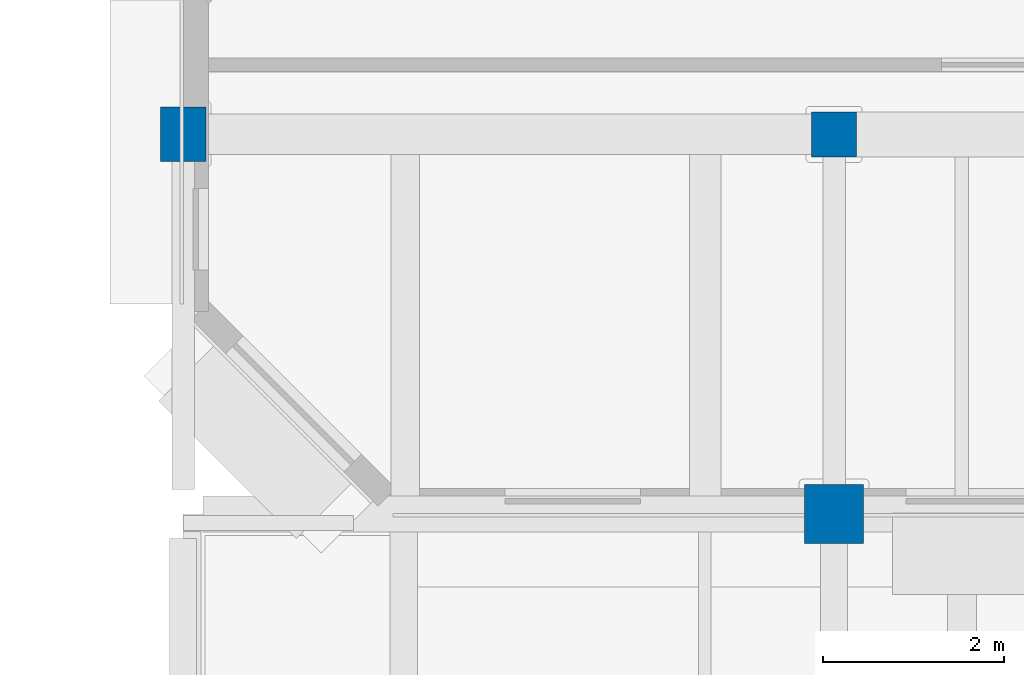
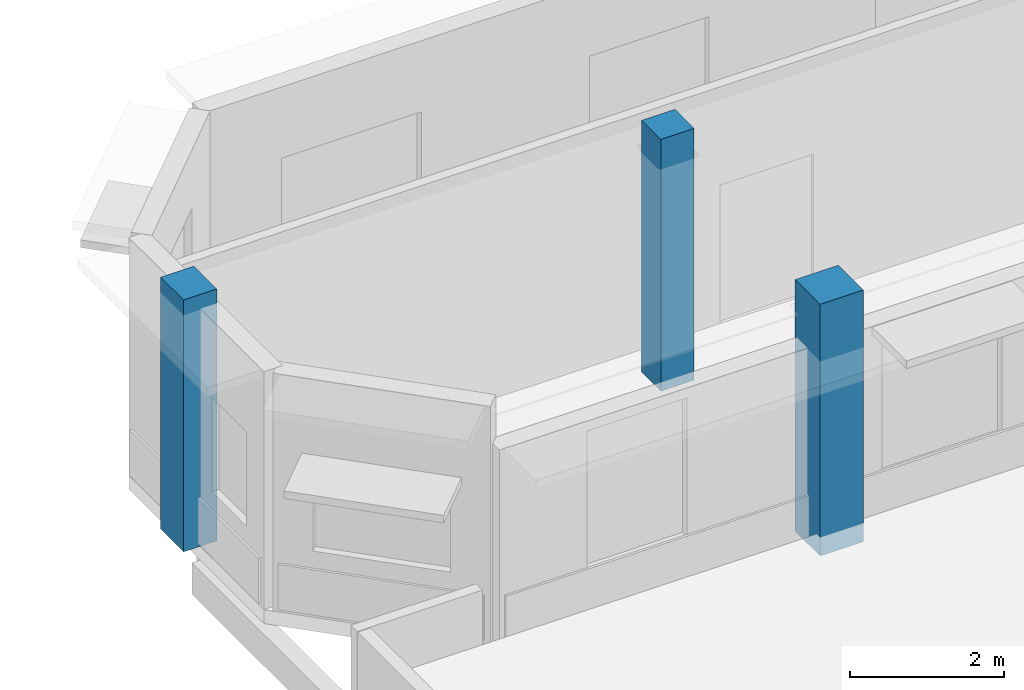
# One storey, part 1 of 105: 3 columns.
"""IFC4 building model written with IfcOpenShell, lengths in metres."""

from ifc_helpers import new_model, si_unit, direction, frame, origin, origin_2d, place, context, subcontext, project, spatial, rectangle, extrude, material, material_profile, profile_set, type_object, element, save


model = new_model("IFC4")

# Units and contexts
model_context = context("Model", 3, precision=1e-05, world=origin(), true_north=direction((0.0, 1.0)))
body_context = subcontext(model_context, "Body", "Model", "MODEL_VIEW")
ifc_project = project(units=[si_unit("LENGTHUNIT", "METRE"), si_unit("AREAUNIT", "SQUARE_METRE"), si_unit("VOLUMEUNIT", "CUBIC_METRE"), si_unit("PLANEANGLEUNIT", "RADIAN"), si_unit("MASSUNIT", "GRAM", prefix="KILO")], contexts=[model_context])

# Site, building, storey
site_placement = place(None, origin())
site = spatial("IfcSite", under=ifc_project, at=site_placement, CompositionType="ELEMENT")
building_placement = place(site_placement, origin())
building = spatial("IfcBuilding", under=site, at=building_placement, Name="Kelanivale Promenade Academy", CompositionType="ELEMENT")
storey_placement = place(building_placement, frame((0.0, 0.0, 4.199951171875)))
storey = spatial("IfcBuildingStorey", under=building, at=storey_placement, Name="L01", CompositionType="ELEMENT", Elevation=4.199951171875)

# Columns
ifc_material = material(Name="Concrete C40/50", Category="concrete")
ifc_material_profile_1 = material_profile(ifc_material, rectangle(XDim=0.5, YDim=0.5, at=origin_2d()), Name="RC-COL 500x500")
ifc_profile_set_1 = profile_set([ifc_material_profile_1], Name="Concrete C40/50")
column_type_1 = type_object("IfcColumnType", Name="C-03 RC-COL 500x500", PredefinedType="COLUMN", material=ifc_profile_set_1)
column_1_placement = place(storey_placement, frame((57.60009765625, 22.199951171875, 0.0), z_axis=(0.0, 0.0, 1.0), x_axis=(1.0, 0.0, 0.0)))
element("IfcColumn", 1, at=column_1_placement, inside=storey, type_object=column_type_1, Name="Column C-03 at (57.6, 22.2) L01", PredefinedType="COLUMN", context=body_context, shape_type="SweptSolid", body=[
    extrude(rectangle(XDim=0.5, YDim=0.5, at=origin_2d()), origin(), (0.0, 0.0, 1.0), 4.0),
])
ifc_material_profile_2 = material_profile(ifc_material, rectangle(XDim=0.64990234375, YDim=0.64990234375, at=origin_2d()), Name="RC-COL 650x650")
ifc_profile_set_2 = profile_set([ifc_material_profile_2], Name="Concrete C40/50")
column_type_2 = type_object("IfcColumnType", Name="C-06 RC-COL 650x650", PredefinedType="COLUMN", material=ifc_profile_set_2)
column_2_placement = place(storey_placement, frame((57.60009765625, 18.0, 0.0), z_axis=(0.0, 0.0, 1.0), x_axis=(1.0, 0.0, 0.0)))
element("IfcColumn", 2, at=column_2_placement, inside=storey, type_object=column_type_2, Name="Column C-06 at (57.6, 18.0) L01", PredefinedType="COLUMN", context=body_context, shape_type="SweptSolid", body=[
    extrude(rectangle(XDim=0.64990234375, YDim=0.64990234375, at=origin_2d()), origin(), (0.0, 0.0, 1.0), 4.0),
])
ifc_material_profile_3 = material_profile(ifc_material, rectangle(XDim=0.5, YDim=0.60009765625, at=origin_2d()), Name="RC-PIL 500x600")
ifc_profile_set_3 = profile_set([ifc_material_profile_3], Name="Concrete C40/50")
column_type_3 = type_object("IfcColumnType", Name="PL-18 RC-PIL 500x600", PredefinedType="PILASTER", material=ifc_profile_set_3)
column_3_placement = place(storey_placement, frame((50.39990234375, 22.199951171875, 0.0), z_axis=(0.0, 0.0, 1.0), x_axis=(1.0, 0.0, 0.0)))
element("IfcColumn", 3, at=column_3_placement, inside=storey, type_object=column_type_3, Name="Column PL-18 at (50.4, 22.2) L01", PredefinedType="PILASTER", context=body_context, shape_type="SweptSolid", body=[
    extrude(rectangle(XDim=0.5, YDim=0.60009765625, at=origin_2d()), origin(), (0.0, 0.0, 1.0), 4.0),
])

save(model, "model.ifc")
